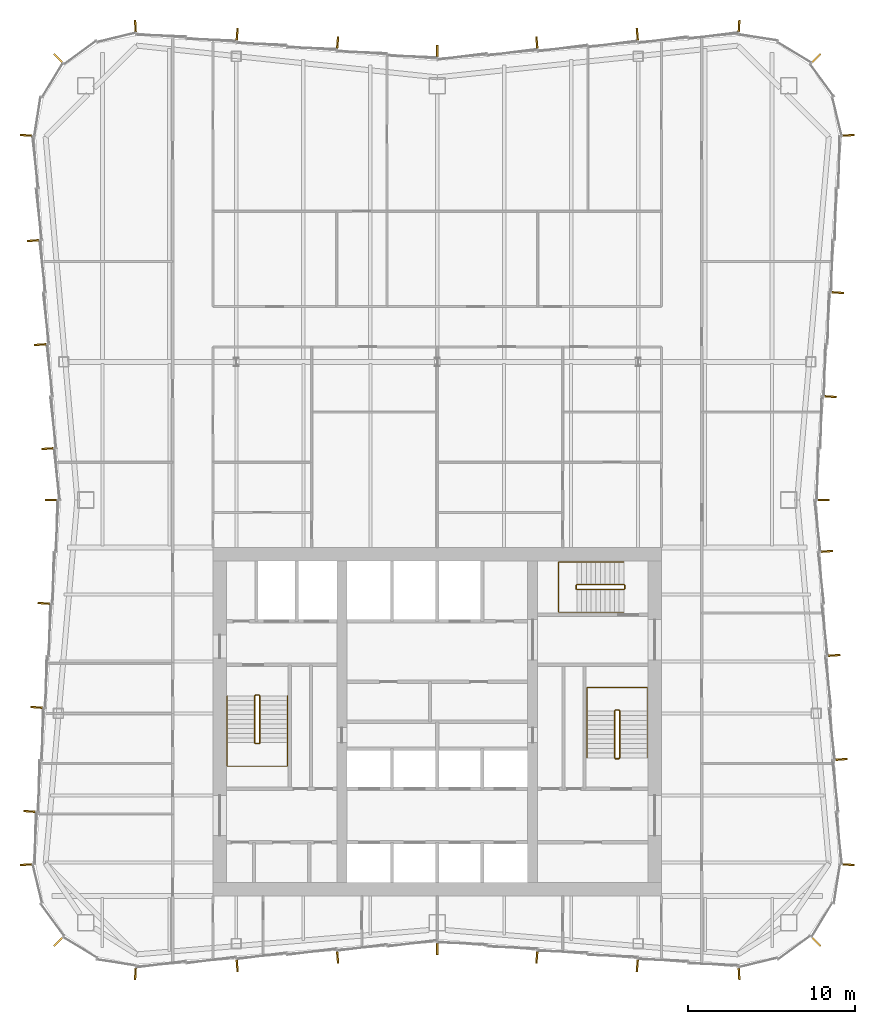
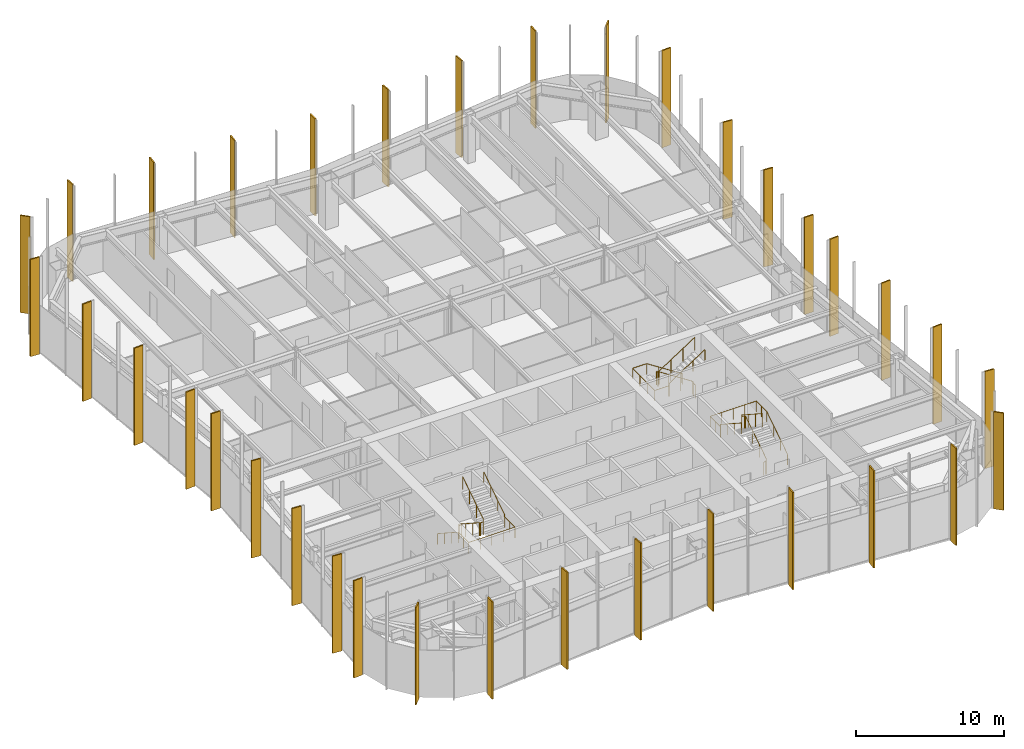
# One storey, part 15 of 15: 35 shading devices, 6 railings.
"""IFC4 building model written with IfcOpenShell, lengths in metres."""

from ifc_helpers import new_model, si_unit, direction, frame, origin, origin_2d, place, context, subcontext, project, spatial, rectangle, circle, extrude, material, layer, layer_set, type_object, element, save


model = new_model("IFC4")

# Units and contexts
model_context = context("Model", 3, precision=1e-05, world=origin(), true_north=direction((0.0, 1.0)))
body_context = subcontext(model_context, "Body", "Model", "MODEL_VIEW")
ifc_project = project(units=[si_unit("LENGTHUNIT", "METRE"), si_unit("AREAUNIT", "SQUARE_METRE"), si_unit("VOLUMEUNIT", "CUBIC_METRE"), si_unit("PLANEANGLEUNIT", "RADIAN"), si_unit("MASSUNIT", "GRAM", prefix="KILO")], contexts=[model_context])

# Site, building, storey
site_placement = place(None, origin())
site = spatial("IfcSite", under=ifc_project, at=site_placement, CompositionType="ELEMENT")
building_placement = place(site_placement, origin())
building = spatial("IfcBuilding", under=site, at=building_placement, Name="Verdant Reach Tower", CompositionType="ELEMENT")
storey_placement = place(building_placement, frame((0.0, 0.0, 274.0)))
storey = spatial("IfcBuildingStorey", under=building, at=storey_placement, Name="L63", CompositionType="ELEMENT", Elevation=274.0)

# Railings
ifc_material_1 = material(Name="Stainless steel", Category="steel")
railing_type_1 = type_object("IfcRailingType", Name="CO-GUARD", PredefinedType="GUARDRAIL", material=ifc_material_1)
railing_1_placement = place(storey_placement, frame((-10.64990234375, 29.60009765625, 0.0)))
element("IfcRailing", 1, at=railing_1_placement, inside=storey, type_object=railing_type_1, Name="L63 ST-1 stair guard 1", PredefinedType="GUARDRAIL", context=body_context, shape_type="SweptSolid", body=[
    extrude(circle(Radius=0.02392578125, at=origin_2d()), frame((0.0, 0.0, 1.076171875), z_axis=(-1.0, 0.0, 0.0), x_axis=(0.0, -1.0, 0.0)), (0.0, 0.0, 1.0), 0.2001953125),
    extrude(circle(Radius=0.02392578125, at=origin_2d()), frame((-0.2001953125, 0.0, 1.076171875), z_axis=(-0.25526617399, -0.256517478764, 0.932222056972), x_axis=(0.708833529934, -0.705375805398, 0.0)), (0.0, 0.0, 1.0), 0.195068359375),
    extrude(circle(Radius=0.02392578125, at=origin_2d()), frame((-0.25, -0.050048828125, 1.2578125), z_axis=(0.0, -0.838705829183, 0.544584733623), x_axis=(1.0, 0.0, 0.0)), (0.0, 0.0, 1.0), 3.338623046875),
    extrude(circle(Radius=0.02392578125, at=origin_2d()), frame((-0.25, -2.85009765625, 3.076171875), z_axis=(0.705375805398, -0.708833529934, 0.0), x_axis=(0.708833529934, 0.705375805398, 0.0)), (0.0, 0.0, 1.0), 0.070556640625),
    extrude(circle(Radius=0.02392578125, at=origin_2d()), frame((-0.2001953125, -2.900146484375, 3.076171875), z_axis=(1.0, 0.0, 0.0), x_axis=(0.0, 1.0, 0.0)), (0.0, 0.0, 1.0), 0.2001953125),
    extrude(circle(Radius=0.02392578125, at=origin_2d()), frame((0.0, -2.900146484375, 3.076171875), z_axis=(0.25526617399, 0.256517478764, 0.932222056972), x_axis=(-0.708833529934, 0.705375805398, 0.0)), (0.0, 0.0, 1.0), 0.195068359375),
    extrude(circle(Radius=0.02392578125, at=origin_2d()), frame((0.0498046875, -2.85009765625, 3.2578125), z_axis=(0.0, 0.838705829183, 0.544584733623), x_axis=(-1.0, 0.0, 0.0)), (0.0, 0.0, 1.0), 3.338623046875),
    extrude(circle(Radius=0.02099609375, at=origin_2d()), origin(), (0.0, 0.0, 1.0), 1.052001953125),
    extrude(circle(Radius=0.02099609375, at=origin_2d()), frame((-0.2001953125, 0.0, 0.0)), (0.0, 0.0, 1.0), 1.052001953125),
    extrude(circle(Radius=0.02099609375, at=origin_2d()), frame((-0.25, -0.050048828125, 0.181884765625)), (0.0, 0.0, 1.0), 1.052001953125),
    extrude(circle(Radius=0.02099609375, at=origin_2d()), frame((-0.25, -0.9833984375, 0.787841796875)), (0.0, 0.0, 1.0), 1.052001953125),
    extrude(circle(Radius=0.02099609375, at=origin_2d()), frame((-0.25, -1.916748046875, 1.39404296875)), (0.0, 0.0, 1.0), 1.052001953125),
    extrude(circle(Radius=0.02099609375, at=origin_2d()), frame((-0.25, -2.85009765625, 2.0)), (0.0, 0.0, 1.0), 1.052001953125),
    extrude(circle(Radius=0.02099609375, at=origin_2d()), frame((-0.2001953125, -2.900146484375, 2.0)), (0.0, 0.0, 1.0), 1.052001953125),
    extrude(circle(Radius=0.02099609375, at=origin_2d()), frame((0.0, -2.900146484375, 2.0)), (0.0, 0.0, 1.0), 1.052001953125),
    extrude(circle(Radius=0.02099609375, at=origin_2d()), frame((0.0498046875, -2.85009765625, 2.181884765625)), (0.0, 0.0, 1.0), 1.052001953125),
    extrude(circle(Radius=0.02099609375, at=origin_2d()), frame((0.0498046875, -1.916748046875, 2.787841796875)), (0.0, 0.0, 1.0), 1.052001953125),
    extrude(circle(Radius=0.02099609375, at=origin_2d()), frame((0.0498046875, -0.9833984375, 3.39404296875)), (0.0, 0.0, 1.0), 1.052001953125),
    extrude(circle(Radius=0.02099609375, at=origin_2d()), frame((0.0498046875, -0.050048828125, 4.0)), (0.0, 0.0, 1.0), 1.052001953125),
])
railing_2_placement = place(storey_placement, frame((10.64990234375, 25.800048828125, 0.0)))
element("IfcRailing", 2, at=railing_2_placement, inside=storey, type_object=railing_type_1, Name="L63 ST-2 stair guard 1", PredefinedType="GUARDRAIL", context=body_context, shape_type="SweptSolid", body=[
    extrude(circle(Radius=0.02392578125, at=origin_2d()), frame((0.0, 0.0, 1.076171875), z_axis=(1.0, 0.0, 0.0), x_axis=(0.0, 1.0, 0.0)), (0.0, 0.0, 1.0), 0.2001953125),
    extrude(circle(Radius=0.02392578125, at=origin_2d()), frame((0.2001953125, 0.0, 1.076171875), z_axis=(0.25526617399, 0.256517478764, 0.932222056972), x_axis=(-0.708833529934, 0.705375805398, 0.0)), (0.0, 0.0, 1.0), 0.195068359375),
    extrude(circle(Radius=0.02392578125, at=origin_2d()), frame((0.25, 0.050048828125, 1.2578125), z_axis=(0.0, 0.83868413941, 0.544618136222), x_axis=(-1.0, 0.0, 0.0)), (0.0, 0.0, 1.0), 3.33837890625),
    extrude(circle(Radius=0.02392578125, at=origin_2d()), frame((0.25, 2.849853515625, 3.076171875), z_axis=(-0.705375805398, 0.708833529934, 0.0), x_axis=(-0.708833529934, -0.705375805398, 0.0)), (0.0, 0.0, 1.0), 0.070556640625),
    extrude(circle(Radius=0.02392578125, at=origin_2d()), frame((0.2001953125, 2.89990234375, 3.076171875), z_axis=(-1.0, 0.0, 0.0), x_axis=(0.0, -1.0, 0.0)), (0.0, 0.0, 1.0), 0.2001953125),
    extrude(circle(Radius=0.02392578125, at=origin_2d()), frame((0.0, 2.89990234375, 3.076171875), z_axis=(-0.25526617399, -0.256517478764, 0.932222056972), x_axis=(0.708833529934, -0.705375805398, 0.0)), (0.0, 0.0, 1.0), 0.195068359375),
    extrude(circle(Radius=0.02392578125, at=origin_2d()), frame((-0.0498046875, 2.849853515625, 3.2578125), z_axis=(0.0, -0.83868413941, 0.544618136222), x_axis=(1.0, 0.0, 0.0)), (0.0, 0.0, 1.0), 3.33837890625),
    extrude(circle(Radius=0.02099609375, at=origin_2d()), origin(), (0.0, 0.0, 1.0), 1.052001953125),
    extrude(circle(Radius=0.02099609375, at=origin_2d()), frame((0.2001953125, 0.0, 0.0)), (0.0, 0.0, 1.0), 1.052001953125),
    extrude(circle(Radius=0.02099609375, at=origin_2d()), frame((0.25, 0.050048828125, 0.181884765625)), (0.0, 0.0, 1.0), 1.052001953125),
    extrude(circle(Radius=0.02099609375, at=origin_2d()), frame((0.25, 0.9833984375, 0.787841796875)), (0.0, 0.0, 1.0), 1.052001953125),
    extrude(circle(Radius=0.02099609375, at=origin_2d()), frame((0.25, 1.91650390625, 1.39404296875)), (0.0, 0.0, 1.0), 1.052001953125),
    extrude(circle(Radius=0.02099609375, at=origin_2d()), frame((0.25, 2.849853515625, 2.0)), (0.0, 0.0, 1.0), 1.052001953125),
    extrude(circle(Radius=0.02099609375, at=origin_2d()), frame((0.2001953125, 2.89990234375, 2.0)), (0.0, 0.0, 1.0), 1.052001953125),
    extrude(circle(Radius=0.02099609375, at=origin_2d()), frame((0.0, 2.89990234375, 2.0)), (0.0, 0.0, 1.0), 1.052001953125),
    extrude(circle(Radius=0.02099609375, at=origin_2d()), frame((-0.0498046875, 2.849853515625, 2.181884765625)), (0.0, 0.0, 1.0), 1.052001953125),
    extrude(circle(Radius=0.02099609375, at=origin_2d()), frame((-0.0498046875, 1.91650390625, 2.787841796875)), (0.0, 0.0, 1.0), 1.052001953125),
    extrude(circle(Radius=0.02099609375, at=origin_2d()), frame((-0.0498046875, 0.9833984375, 3.39404296875)), (0.0, 0.0, 1.0), 1.052001953125),
    extrude(circle(Radius=0.02099609375, at=origin_2d()), frame((-0.0498046875, 0.050048828125, 4.0)), (0.0, 0.0, 1.0), 1.052001953125),
])
railing_3_placement = place(storey_placement, frame((11.199951171875, 35.949951171875, 0.0)))
element("IfcRailing", 3, at=railing_3_placement, inside=storey, type_object=railing_type_1, Name="L63 ST-3 stair guard 1", PredefinedType="GUARDRAIL", context=body_context, shape_type="SweptSolid", body=[
    extrude(circle(Radius=0.02392578125, at=origin_2d()), frame((0.0, 0.0, 1.076171875), z_axis=(0.0, 1.0, 0.0), x_axis=(-1.0, 0.0, 0.0)), (0.0, 0.0, 1.0), 0.199951171875),
    extrude(circle(Radius=0.02392578125, at=origin_2d()), frame((0.0, 0.199951171875, 1.076171875), z_axis=(-0.256435381639, 0.256435381639, 0.931923704005), x_axis=(-0.707106781187, -0.707106781187, 0.0)), (0.0, 0.0, 1.0), 0.195068359375),
    extrude(circle(Radius=0.02392578125, at=origin_2d()), frame((-0.050048828125, 0.25, 1.2578125), z_axis=(-0.83868413941, 0.0, 0.544618136222), x_axis=(0.0, -1.0, 0.0)), (0.0, 0.0, 1.0), 3.33837890625),
    extrude(circle(Radius=0.02392578125, at=origin_2d()), frame((-2.849853515625, 0.25, 3.076171875), z_axis=(-0.707106781187, -0.707106781187, 0.0), x_axis=(0.707106781187, -0.707106781187, 0.0)), (0.0, 0.0, 1.0), 0.07080078125),
    extrude(circle(Radius=0.02392578125, at=origin_2d()), frame((-2.89990234375, 0.199951171875, 3.076171875), z_axis=(0.0, -1.0, 0.0), x_axis=(1.0, 0.0, 0.0)), (0.0, 0.0, 1.0), 0.199951171875),
    extrude(circle(Radius=0.02392578125, at=origin_2d()), frame((-2.89990234375, 0.0, 3.076171875), z_axis=(0.256435381639, -0.256435381639, 0.931923704005), x_axis=(0.707106781187, 0.707106781187, 0.0)), (0.0, 0.0, 1.0), 0.195068359375),
    extrude(circle(Radius=0.02392578125, at=origin_2d()), frame((-2.849853515625, -0.050048828125, 3.2578125), z_axis=(0.83868413941, 0.0, 0.544618136222), x_axis=(0.0, 1.0, 0.0)), (0.0, 0.0, 1.0), 3.33837890625),
    extrude(circle(Radius=0.02099609375, at=origin_2d()), origin(), (0.0, 0.0, 1.0), 1.052001953125),
    extrude(circle(Radius=0.02099609375, at=origin_2d()), frame((0.0, 0.199951171875, 0.0)), (0.0, 0.0, 1.0), 1.052001953125),
    extrude(circle(Radius=0.02099609375, at=origin_2d()), frame((-0.050048828125, 0.25, 0.181884765625)), (0.0, 0.0, 1.0), 1.052001953125),
    extrude(circle(Radius=0.02099609375, at=origin_2d()), frame((-0.9833984375, 0.25, 0.787841796875)), (0.0, 0.0, 1.0), 1.052001953125),
    extrude(circle(Radius=0.02099609375, at=origin_2d()), frame((-1.91650390625, 0.25, 1.39404296875)), (0.0, 0.0, 1.0), 1.052001953125),
    extrude(circle(Radius=0.02099609375, at=origin_2d()), frame((-2.849853515625, 0.25, 2.0)), (0.0, 0.0, 1.0), 1.052001953125),
    extrude(circle(Radius=0.02099609375, at=origin_2d()), frame((-2.89990234375, 0.199951171875, 2.0)), (0.0, 0.0, 1.0), 1.052001953125),
    extrude(circle(Radius=0.02099609375, at=origin_2d()), frame((-2.89990234375, 0.0, 2.0)), (0.0, 0.0, 1.0), 1.052001953125),
    extrude(circle(Radius=0.02099609375, at=origin_2d()), frame((-2.849853515625, -0.050048828125, 2.181884765625)), (0.0, 0.0, 1.0), 1.052001953125),
    extrude(circle(Radius=0.02099609375, at=origin_2d()), frame((-1.91650390625, -0.050048828125, 2.787841796875)), (0.0, 0.0, 1.0), 1.052001953125),
    extrude(circle(Radius=0.02099609375, at=origin_2d()), frame((-0.9833984375, -0.050048828125, 3.39404296875)), (0.0, 0.0, 1.0), 1.052001953125),
    extrude(circle(Radius=0.02099609375, at=origin_2d()), frame((-0.050048828125, -0.050048828125, 4.0)), (0.0, 0.0, 1.0), 1.052001953125),
])
railing_type_2 = type_object("IfcRailingType", Name="CO-HANDRAIL", PredefinedType="HANDRAIL", material=ifc_material_1)
railing_4_placement = place(storey_placement, frame((-12.550048828125, 29.550048828125, 0.181884765625)))
element("IfcRailing", 4, at=railing_4_placement, inside=storey, type_object=railing_type_2, Name="L63 ST-1 stair handrail 1", PredefinedType="HANDRAIL", context=body_context, shape_type="SweptSolid", body=[
    extrude(circle(Radius=0.02392578125, at=origin_2d()), frame((0.0, 0.0, 0.8759765625), z_axis=(0.0, -0.838705829183, 0.544584733623), x_axis=(1.0, 0.0, 0.0)), (0.0, 0.0, 1.0), 3.338623046875),
    extrude(circle(Radius=0.02392578125, at=origin_2d()), frame((0.0, -2.800048828125, 2.69384765625), z_axis=(0.0, -1.0, 0.0), x_axis=(1.0, 0.0, 0.0)), (0.0, 0.0, 1.0), 1.39990234375),
    extrude(circle(Radius=0.02392578125, at=origin_2d()), frame((0.0, -4.199951171875, 2.69384765625), z_axis=(1.0, 0.0, 0.0), x_axis=(0.0, 1.0, 0.0)), (0.0, 0.0, 1.0), 3.60009765625),
    extrude(circle(Radius=0.02392578125, at=origin_2d()), frame((3.60009765625, -4.199951171875, 2.69384765625), z_axis=(0.0, 1.0, 0.0), x_axis=(-1.0, 0.0, 0.0)), (0.0, 0.0, 1.0), 1.39990234375),
    extrude(circle(Radius=0.02392578125, at=origin_2d()), frame((3.60009765625, -2.800048828125, 2.69384765625), z_axis=(0.0, 0.0, 1.0), x_axis=(1.0, 0.0, 0.0)), (0.0, 0.0, 1.0), 0.181884765625),
    extrude(circle(Radius=0.02392578125, at=origin_2d()), frame((3.60009765625, -2.800048828125, 2.8759765625), z_axis=(0.0, 0.838705829183, 0.544584733623), x_axis=(-1.0, 0.0, 0.0)), (0.0, 0.0, 1.0), 3.338623046875),
    extrude(circle(Radius=0.02099609375, at=origin_2d()), origin(), (0.0, 0.0, 1.0), 0.851806640625),
    extrude(circle(Radius=0.02099609375, at=origin_2d()), frame((0.0, -0.933349609375, 0.60595703125)), (0.0, 0.0, 1.0), 0.851806640625),
    extrude(circle(Radius=0.02099609375, at=origin_2d()), frame((0.0, -1.86669921875, 1.212158203125)), (0.0, 0.0, 1.0), 0.851806640625),
    extrude(circle(Radius=0.02099609375, at=origin_2d()), frame((0.0, -2.800048828125, 1.818115234375)), (0.0, 0.0, 1.0), 0.851806640625),
    extrude(circle(Radius=0.02099609375, at=origin_2d()), frame((0.0, -3.5, 1.818115234375)), (0.0, 0.0, 1.0), 0.851806640625),
    extrude(circle(Radius=0.02099609375, at=origin_2d()), frame((0.0, -4.199951171875, 1.818115234375)), (0.0, 0.0, 1.0), 0.851806640625),
    extrude(circle(Radius=0.02099609375, at=origin_2d()), frame((0.89990234375, -4.199951171875, 1.818115234375)), (0.0, 0.0, 1.0), 0.851806640625),
    extrude(circle(Radius=0.02099609375, at=origin_2d()), frame((1.800048828125, -4.199951171875, 1.818115234375)), (0.0, 0.0, 1.0), 0.851806640625),
    extrude(circle(Radius=0.02099609375, at=origin_2d()), frame((2.7001953125, -4.199951171875, 1.818115234375)), (0.0, 0.0, 1.0), 0.851806640625),
    extrude(circle(Radius=0.02099609375, at=origin_2d()), frame((3.60009765625, -4.199951171875, 1.818115234375)), (0.0, 0.0, 1.0), 0.851806640625),
    extrude(circle(Radius=0.02099609375, at=origin_2d()), frame((3.60009765625, -3.5, 1.818115234375)), (0.0, 0.0, 1.0), 0.851806640625),
    extrude(circle(Radius=0.02099609375, at=origin_2d()), frame((3.60009765625, -2.800048828125, 1.818115234375)), (0.0, 0.0, 1.0), 0.851806640625),
    extrude(circle(Radius=0.02099609375, at=origin_2d()), frame((3.60009765625, -2.800048828125, 2.0)), (0.0, 0.0, 1.0), 0.851806640625),
    extrude(circle(Radius=0.02099609375, at=origin_2d()), frame((3.60009765625, -1.86669921875, 2.60595703125)), (0.0, 0.0, 1.0), 0.851806640625),
    extrude(circle(Radius=0.02099609375, at=origin_2d()), frame((3.60009765625, -0.933349609375, 3.212158203125)), (0.0, 0.0, 1.0), 0.851806640625),
    extrude(circle(Radius=0.02099609375, at=origin_2d()), frame((3.60009765625, 0.0, 3.818115234375)), (0.0, 0.0, 1.0), 0.851806640625),
])
railing_5_placement = place(storey_placement, frame((12.550048828125, 25.85009765625, 0.181884765625)))
element("IfcRailing", 5, at=railing_5_placement, inside=storey, type_object=railing_type_2, Name="L63 ST-2 stair handrail 1", PredefinedType="HANDRAIL", context=body_context, shape_type="SweptSolid", body=[
    extrude(circle(Radius=0.02392578125, at=origin_2d()), frame((0.0, 0.0, 0.8759765625), z_axis=(0.0, 0.83868413941, 0.544618136222), x_axis=(-1.0, 0.0, 0.0)), (0.0, 0.0, 1.0), 3.33837890625),
    extrude(circle(Radius=0.02392578125, at=origin_2d()), frame((0.0, 2.7998046875, 2.69384765625), z_axis=(0.0, 1.0, 0.0), x_axis=(-1.0, 0.0, 0.0)), (0.0, 0.0, 1.0), 1.400146484375),
    extrude(circle(Radius=0.02392578125, at=origin_2d()), frame((0.0, 4.199951171875, 2.69384765625), z_axis=(-1.0, 0.0, 0.0), x_axis=(0.0, -1.0, 0.0)), (0.0, 0.0, 1.0), 3.60009765625),
    extrude(circle(Radius=0.02392578125, at=origin_2d()), frame((-3.60009765625, 4.199951171875, 2.69384765625), z_axis=(0.0, -1.0, 0.0), x_axis=(1.0, 0.0, 0.0)), (0.0, 0.0, 1.0), 1.400146484375),
    extrude(circle(Radius=0.02392578125, at=origin_2d()), frame((-3.60009765625, 2.7998046875, 2.69384765625), z_axis=(0.0, 0.0, 1.0), x_axis=(1.0, 0.0, 0.0)), (0.0, 0.0, 1.0), 0.181884765625),
    extrude(circle(Radius=0.02392578125, at=origin_2d()), frame((-3.60009765625, 2.7998046875, 2.8759765625), z_axis=(0.0, -0.83868413941, 0.544618136222), x_axis=(1.0, 0.0, 0.0)), (0.0, 0.0, 1.0), 3.33837890625),
    extrude(circle(Radius=0.02099609375, at=origin_2d()), origin(), (0.0, 0.0, 1.0), 0.851806640625),
    extrude(circle(Radius=0.02099609375, at=origin_2d()), frame((0.0, 0.933349609375, 0.60595703125)), (0.0, 0.0, 1.0), 0.851806640625),
    extrude(circle(Radius=0.02099609375, at=origin_2d()), frame((0.0, 1.866455078125, 1.212158203125)), (0.0, 0.0, 1.0), 0.851806640625),
    extrude(circle(Radius=0.02099609375, at=origin_2d()), frame((0.0, 2.7998046875, 1.818115234375)), (0.0, 0.0, 1.0), 0.851806640625),
    extrude(circle(Radius=0.02099609375, at=origin_2d()), frame((0.0, 3.5, 1.818115234375)), (0.0, 0.0, 1.0), 0.851806640625),
    extrude(circle(Radius=0.02099609375, at=origin_2d()), frame((0.0, 4.199951171875, 1.818115234375)), (0.0, 0.0, 1.0), 0.851806640625),
    extrude(circle(Radius=0.02099609375, at=origin_2d()), frame((-0.89990234375, 4.199951171875, 1.818115234375)), (0.0, 0.0, 1.0), 0.851806640625),
    extrude(circle(Radius=0.02099609375, at=origin_2d()), frame((-1.800048828125, 4.199951171875, 1.818115234375)), (0.0, 0.0, 1.0), 0.851806640625),
    extrude(circle(Radius=0.02099609375, at=origin_2d()), frame((-2.7001953125, 4.199951171875, 1.818115234375)), (0.0, 0.0, 1.0), 0.851806640625),
    extrude(circle(Radius=0.02099609375, at=origin_2d()), frame((-3.60009765625, 4.199951171875, 1.818115234375)), (0.0, 0.0, 1.0), 0.851806640625),
    extrude(circle(Radius=0.02099609375, at=origin_2d()), frame((-3.60009765625, 3.5, 1.818115234375)), (0.0, 0.0, 1.0), 0.851806640625),
    extrude(circle(Radius=0.02099609375, at=origin_2d()), frame((-3.60009765625, 2.7998046875, 1.818115234375)), (0.0, 0.0, 1.0), 0.851806640625),
    extrude(circle(Radius=0.02099609375, at=origin_2d()), frame((-3.60009765625, 2.7998046875, 2.0)), (0.0, 0.0, 1.0), 0.851806640625),
    extrude(circle(Radius=0.02099609375, at=origin_2d()), frame((-3.60009765625, 1.866455078125, 2.60595703125)), (0.0, 0.0, 1.0), 0.851806640625),
    extrude(circle(Radius=0.02099609375, at=origin_2d()), frame((-3.60009765625, 0.933349609375, 3.212158203125)), (0.0, 0.0, 1.0), 0.851806640625),
    extrude(circle(Radius=0.02099609375, at=origin_2d()), frame((-3.60009765625, 0.0, 3.818115234375)), (0.0, 0.0, 1.0), 0.851806640625),
])
railing_6_placement = place(storey_placement, frame((11.14990234375, 37.550048828125, 0.181884765625)))
element("IfcRailing", 6, at=railing_6_placement, inside=storey, type_object=railing_type_2, Name="L63 ST-3 stair handrail 1", PredefinedType="HANDRAIL", context=body_context, shape_type="SweptSolid", body=[
    extrude(circle(Radius=0.02392578125, at=origin_2d()), frame((0.0, 0.0, 0.8759765625), z_axis=(-0.83868413941, 0.0, 0.544618136222), x_axis=(0.0, -1.0, 0.0)), (0.0, 0.0, 1.0), 3.33837890625),
    extrude(circle(Radius=0.02392578125, at=origin_2d()), frame((-2.7998046875, 0.0, 2.69384765625), z_axis=(-1.0, 0.0, 0.0), x_axis=(0.0, -1.0, 0.0)), (0.0, 0.0, 1.0), 1.10009765625),
    extrude(circle(Radius=0.02392578125, at=origin_2d()), frame((-3.89990234375, 0.0, 2.69384765625), z_axis=(0.0, -1.0, 0.0), x_axis=(1.0, 0.0, 0.0)), (0.0, 0.0, 1.0), 3.0),
    extrude(circle(Radius=0.02392578125, at=origin_2d()), frame((-3.89990234375, -3.0, 2.69384765625), z_axis=(1.0, 0.0, 0.0), x_axis=(0.0, 1.0, 0.0)), (0.0, 0.0, 1.0), 1.10009765625),
    extrude(circle(Radius=0.02392578125, at=origin_2d()), frame((-2.7998046875, -3.0, 2.69384765625), z_axis=(0.0, 0.0, 1.0), x_axis=(1.0, 0.0, 0.0)), (0.0, 0.0, 1.0), 0.181884765625),
    extrude(circle(Radius=0.02392578125, at=origin_2d()), frame((-2.7998046875, -3.0, 2.8759765625), z_axis=(0.83868413941, 0.0, 0.544618136222), x_axis=(0.0, 1.0, 0.0)), (0.0, 0.0, 1.0), 3.33837890625),
    extrude(circle(Radius=0.02099609375, at=origin_2d()), origin(), (0.0, 0.0, 1.0), 0.851806640625),
    extrude(circle(Radius=0.02099609375, at=origin_2d()), frame((-0.933349609375, 0.0, 0.60595703125)), (0.0, 0.0, 1.0), 0.851806640625),
    extrude(circle(Radius=0.02099609375, at=origin_2d()), frame((-1.866455078125, 0.0, 1.212158203125)), (0.0, 0.0, 1.0), 0.851806640625),
    extrude(circle(Radius=0.02099609375, at=origin_2d()), frame((-2.7998046875, 0.0, 1.818115234375)), (0.0, 0.0, 1.0), 0.851806640625),
    extrude(circle(Radius=0.02099609375, at=origin_2d()), frame((-3.89990234375, 0.0, 1.818115234375)), (0.0, 0.0, 1.0), 0.851806640625),
    extrude(circle(Radius=0.02099609375, at=origin_2d()), frame((-3.89990234375, -1.0, 1.818115234375)), (0.0, 0.0, 1.0), 0.851806640625),
    extrude(circle(Radius=0.02099609375, at=origin_2d()), frame((-3.89990234375, -2.0, 1.818115234375)), (0.0, 0.0, 1.0), 0.851806640625),
    extrude(circle(Radius=0.02099609375, at=origin_2d()), frame((-3.89990234375, -3.0, 1.818115234375)), (0.0, 0.0, 1.0), 0.851806640625),
    extrude(circle(Radius=0.02099609375, at=origin_2d()), frame((-2.7998046875, -3.0, 1.818115234375)), (0.0, 0.0, 1.0), 0.851806640625),
    extrude(circle(Radius=0.02099609375, at=origin_2d()), frame((-2.7998046875, -3.0, 2.0)), (0.0, 0.0, 1.0), 0.851806640625),
    extrude(circle(Radius=0.02099609375, at=origin_2d()), frame((-1.866455078125, -3.0, 2.60595703125)), (0.0, 0.0, 1.0), 0.851806640625),
    extrude(circle(Radius=0.02099609375, at=origin_2d()), frame((-0.933349609375, -3.0, 3.212158203125)), (0.0, 0.0, 1.0), 0.851806640625),
    extrude(circle(Radius=0.02099609375, at=origin_2d()), frame((0.0, -3.0, 3.818115234375)), (0.0, 0.0, 1.0), 0.851806640625),
])

# Shading devices
ifc_material_2 = material(Name="Bronze fin, champagne", Category="aluminium")
ifc_layer_1 = layer(ifc_material_2, 0.10009765625)
ifc_layer_set_1 = layer_set([ifc_layer_1], Name="EN-FIN CHAMPAGNE")
shading_device_type_1 = type_object("IfcShadingDeviceType", Name="EN-FIN CHAMPAGNE", PredefinedType="USERDEFINED", material=ifc_layer_set_1)
for number, where, z_axis, x_axis, name in (
    (7, (22.6484375, 14.8515625, -0.35009765625), (0.0, 0.0, 1.0), (0.707106781187, 0.707106781187, 0.0), "Fin south-east corner 3, L63"),
    (8, (24.57275390625, 19.46337890625, -0.35009765625), (0.0, 0.0, 1.0), (0.063698618332, 0.997969180898, 0.0), "Fin east face part 1 1, L63"),
    (9, (24.14404296875, 25.753662109375, -0.35009765625), (0.0, 0.0, 1.0), (-0.068802091615, 0.997630328423, 0.0), "Fin east face part 1 3, L63"),
    (10, (23.501220703125, 47.4248046875, -0.35009765625), (0.0, 0.0, 1.0), (0.068802091615, 0.997630328423, 0.0), "Fin east face part 2 3, L63"),
    (11, (24.57275390625, 63.03662109375, -0.35009765625), (0.0, 0.0, 1.0), (-0.063698618332, 0.997969180898, 0.0), "Fin north-east corner 1, L63"),
    (12, (22.6484375, 67.6484375, -0.35009765625), (0.0, 0.0, 1.0), (-0.707106781187, 0.707106781187, 0.0), "Fin north-east corner 3, L63"),
    (13, (18.032470703125, 69.572998046875, -0.35009765625), (0.0, 0.0, 1.0), (-0.998398681387, 0.056569187765, 0.0), "Fin north face part 1 1, L63"),
    (14, (0.0, 68.073974609375, -0.35009765625), (0.0, 0.0, 1.0), (-1.0, 0.0, 0.0), "Fin north face part 2 1, L63"),
    (15, (-5.952392578125, 68.572021484375, -0.35009765625), (0.0, 0.0, 1.0), (-0.996545758244, 0.083045479859, 0.0), "Fin north face part 2 3, L63"),
    (16, (-18.032470703125, 69.572998046875, -0.35009765625), (0.0, 0.0, 1.0), (-0.998398681387, -0.056569187765, 0.0), "Fin north-west corner 1, L63"),
    (17, (-23.715576171875, 50.531982421875, -0.35009765625), (0.0, 0.0, 1.0), (0.068802091615, -0.997630328423, 0.0), "Fin west face part 1 5, L63"),
    (18, (-23.286865234375, 44.317626953125, -0.35009765625), (0.0, 0.0, 1.0), (0.068802091615, -0.997630328423, 0.0), "Fin west face part 1 7, L63"),
    (19, (-23.073974609375, 41.25, -0.35009765625), (0.0, 0.0, 1.0), (0.0, -1.0, 0.0), "Fin west face part 2 1, L63"),
    (20, (-24.3583984375, 22.646728515625, -0.35009765625), (0.0, 0.0, 1.0), (-0.068802091615, -0.997630328423, 0.0), "Fin west face part 2 7, L63"),
    (21, (-11.952392578125, 13.427978515625, -0.35009765625), (0.0, 0.0, 1.0), (0.996545758244, 0.083045479859, 0.0), "Fin south face part 1 3, L63"),
    (22, (-5.952392578125, 13.927978515625, -0.35009765625), (0.0, 0.0, 1.0), (0.996545758244, 0.083045479859, 0.0), "Fin south face part 1 5, L63"),
    (23, (11.952392578125, 13.427978515625, -0.35009765625), (0.0, 0.0, 1.0), (0.996545758244, -0.083045479859, 0.0), "Fin south face part 2 5, L63"),
):
    element("IfcShadingDevice", number, at=place(storey_placement, frame(where, z_axis=z_axis, x_axis=x_axis)), inside=storey, type_object=shading_device_type_1, Name=name, ObjectType="FIN", PredefinedType="USERDEFINED", context=body_context, shape_type="SweptSolid", body=[
        extrude(rectangle(XDim=0.10009765625, YDim=0.699951171875, at=origin_2d()), origin(), (0.0, 0.0, 1.0), 8.0),
    ])
ifc_material_3 = material(Name="Bronze fin, copper", Category="aluminium")
ifc_layer_2 = layer(ifc_material_3, 0.10009765625)
ifc_layer_set_2 = layer_set([ifc_layer_2], Name="EN-FIN COPPER")
shading_device_type_2 = type_object("IfcShadingDeviceType", Name="EN-FIN COPPER", PredefinedType="USERDEFINED", material=ifc_layer_set_2)
for number, where, z_axis, x_axis, name in (
    (24, (23.715576171875, 31.968017578125, -0.35009765625), (0.0, 0.0, 1.0), (-0.068802091615, 0.997630328423, 0.0), "Fin east face part 1 5, L63"),
    (25, (23.9296875, 53.63916015625, -0.35009765625), (0.0, 0.0, 1.0), (0.068802091615, 0.997630328423, 0.0), "Fin east face part 2 5, L63"),
    (26, (11.952392578125, 69.072021484375, -0.35009765625), (0.0, 0.0, 1.0), (-0.996545758244, -0.083045479859, 0.0), "Fin north face part 1 3, L63"),
    (27, (-11.952392578125, 69.072021484375, -0.35009765625), (0.0, 0.0, 1.0), (-0.996545758244, 0.083045479859, 0.0), "Fin north face part 2 5, L63"),
    (28, (-22.6484375, 67.6484375, -0.35009765625), (0.0, 0.0, 1.0), (-0.707106781187, -0.707106781187, 0.0), "Fin north-west corner 3, L63"),
    (29, (-24.57275390625, 63.03662109375, -0.35009765625), (0.0, 0.0, 1.0), (-0.063698618332, -0.997969180898, 0.0), "Fin west face part 1 1, L63"),
    (30, (-23.501220703125, 35.0751953125, -0.35009765625), (0.0, 0.0, 1.0), (-0.068802091615, -0.997630328423, 0.0), "Fin west face part 2 3, L63"),
    (31, (-24.57275390625, 19.46337890625, -0.35009765625), (0.0, 0.0, 1.0), (0.063698618332, -0.997969180898, 0.0), "Fin south-west corner 1, L63"),
    (32, (0.0, 14.426025390625, -0.35009765625), (0.0, 0.0, 1.0), (1.0, 0.0, 0.0), "Fin south face part 2 1, L63"),
):
    element("IfcShadingDevice", number, at=place(storey_placement, frame(where, z_axis=z_axis, x_axis=x_axis)), inside=storey, type_object=shading_device_type_2, Name=name, ObjectType="FIN", PredefinedType="USERDEFINED", context=body_context, shape_type="SweptSolid", body=[
        extrude(rectangle(XDim=0.10009765625, YDim=0.699951171875, at=origin_2d()), origin(), (0.0, 0.0, 1.0), 8.0),
    ])
ifc_material_4 = material(Name="Bronze fin, dark bronze", Category="aluminium")
ifc_layer_3 = layer(ifc_material_4, 0.10009765625)
ifc_layer_set_3 = layer_set([ifc_layer_3], Name="EN-FIN DARK")
shading_device_type_3 = type_object("IfcShadingDeviceType", Name="EN-FIN DARK", PredefinedType="USERDEFINED", material=ifc_layer_set_3)
for number, where, z_axis, x_axis, name in (
    (33, (18.032470703125, 12.927001953125, -0.35009765625), (0.0, 0.0, 1.0), (0.998398681387, 0.056569187765, 0.0), "Fin south-east corner 1, L63"),
    (34, (23.286865234375, 38.182373046875, -0.35009765625), (0.0, 0.0, 1.0), (-0.068802091615, 0.997630328423, 0.0), "Fin east face part 1 7, L63"),
    (35, (23.073974609375, 41.25, -0.35009765625), (0.0, 0.0, 1.0), (0.0, 1.0, 0.0), "Fin east face part 2 1, L63"),
    (36, (5.952392578125, 68.572021484375, -0.35009765625), (0.0, 0.0, 1.0), (-0.996545758244, -0.083045479859, 0.0), "Fin north face part 1 5, L63"),
    (37, (-24.14404296875, 56.746337890625, -0.35009765625), (0.0, 0.0, 1.0), (0.068802091615, -0.997630328423, 0.0), "Fin west face part 1 3, L63"),
    (38, (-23.9296875, 28.86083984375, -0.35009765625), (0.0, 0.0, 1.0), (-0.068802091615, -0.997630328423, 0.0), "Fin west face part 2 5, L63"),
    (39, (-22.6484375, 14.8515625, -0.35009765625), (0.0, 0.0, 1.0), (0.707106781187, -0.707106781187, 0.0), "Fin south-west corner 3, L63"),
    (40, (-18.032470703125, 12.927001953125, -0.35009765625), (0.0, 0.0, 1.0), (0.998398681387, -0.056569187765, 0.0), "Fin south face part 1 1, L63"),
    (41, (5.952392578125, 13.927978515625, -0.35009765625), (0.0, 0.0, 1.0), (0.996545758244, -0.083045479859, 0.0), "Fin south face part 2 3, L63"),
):
    element("IfcShadingDevice", number, at=place(storey_placement, frame(where, z_axis=z_axis, x_axis=x_axis)), inside=storey, type_object=shading_device_type_3, Name=name, ObjectType="FIN", PredefinedType="USERDEFINED", context=body_context, shape_type="SweptSolid", body=[
        extrude(rectangle(XDim=0.10009765625, YDim=0.699951171875, at=origin_2d()), origin(), (0.0, 0.0, 1.0), 8.0),
    ])

save(model, "model.ifc")
